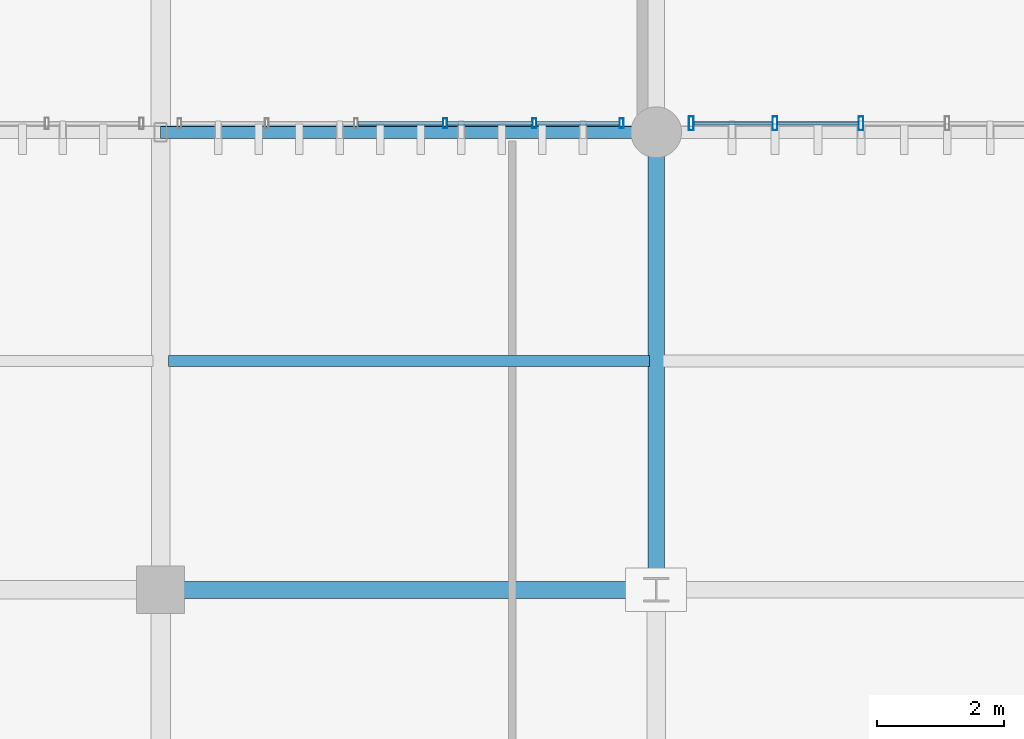
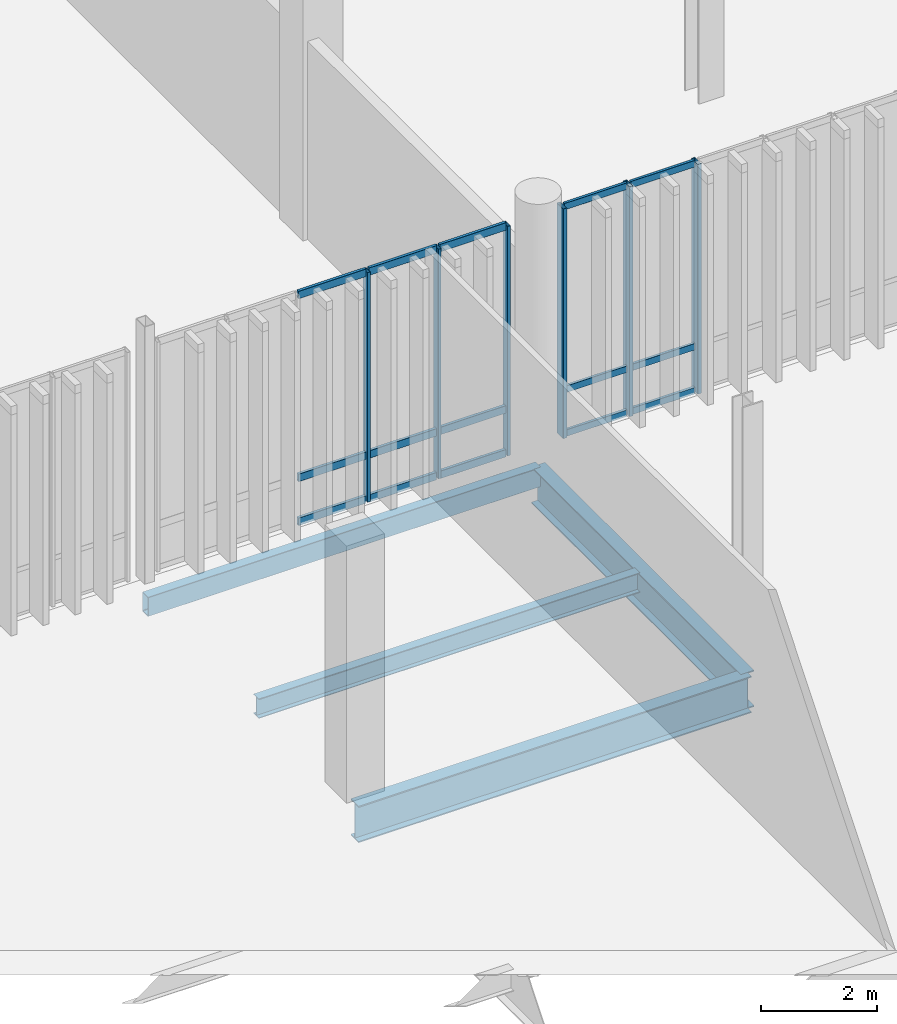
# One storey, part 58 of 112: 21 members, 4 beams, 2 elements without a shape of their own.
"""IFC4 building model written with IfcOpenShell, lengths in metres."""

from ifc_helpers import new_model, si_unit, direction, frame, origin_with_axes, origin_2d_with_axis, place, context, subcontext, project, spatial, hollow_rectangle, i_section, extrude, material, material_profile, profile_set, type_object, element, aggregate, save


model = new_model("IFC4")

# Units and contexts
model_context = context("Model", 3, precision=1e-05, world=origin_with_axes(), true_north=direction((0.0, 1.0)))
body_context = subcontext(model_context, "Body", "Model", "MODEL_VIEW")
ifc_project = project(units=[si_unit("LENGTHUNIT", "METRE"), si_unit("AREAUNIT", "SQUARE_METRE"), si_unit("VOLUMEUNIT", "CUBIC_METRE"), si_unit("PLANEANGLEUNIT", "RADIAN"), si_unit("MASSUNIT", "GRAM", prefix="KILO"), si_unit("THERMODYNAMICTEMPERATUREUNIT", "KELVIN")], contexts=[model_context])

# Site, building, storey
site_placement = place(None, origin_with_axes())
site = spatial("IfcSite", under=ifc_project, at=site_placement, CompositionType="ELEMENT")
building_placement = place(site_placement, origin_with_axes())
building = spatial("IfcBuilding", under=site, at=building_placement, Name="Montbau Bow Law Courts", CompositionType="ELEMENT")
storey_placement = place(building_placement, origin_with_axes())
storey = spatial("IfcBuildingStorey", under=building, at=storey_placement, Name="L00", CompositionType="ELEMENT", Elevation=0.0)

# Beams
ifc_material_1 = material(Name="Steel CSA G40.21 Grade 350W (350 MPa)", Category="steel")
ifc_material_profile_1 = material_profile(ifc_material_1, i_section(OverallWidth=0.267, OverallDepth=0.766, WebThickness=0.0149, FlangeThickness=0.0236, at=origin_2d_with_axis()), Name="W760X185", Category="Main", Priority=0)
ifc_profile_set_1 = profile_set([ifc_material_profile_1], Name="Steel CSA G40.21 Grade 350W (350 MPa)")
beam_type_1 = type_object("IfcBeamType", Name="B-FLR-03", PredefinedType="BEAM", material=ifc_profile_set_1)
beam_1_placement = place(None, frame((147.0, 54.6, -0.723), z_axis=(1.0, 0.0, 0.0), x_axis=(0.0, 1.0, 0.0)))
element("IfcBeam", 1, at=beam_1_placement, inside=storey, type_object=beam_type_1, Name="BM-L00-S0357:bm2_0360", PredefinedType="BEAM", context=body_context, shape_type="SweptSolid", body=[
    extrude(i_section(OverallWidth=0.267, OverallDepth=0.766, WebThickness=0.0149, FlangeThickness=0.0236, at=origin_2d_with_axis()), origin_with_axes(), (0.0, 0.0, 1.0), 7.8),
])
beam_2_placement = place(None, frame((154.8, 54.6, -0.723), z_axis=(0.0, 1.0, 0.0), x_axis=(-1.0, 0.0, 0.0)))
element("IfcBeam", 2, at=beam_2_placement, inside=storey, type_object=beam_type_1, Name="BM-L00-S0389:bm2_0392", PredefinedType="BEAM", context=body_context, shape_type="SweptSolid", body=[
    extrude(i_section(OverallWidth=0.267, OverallDepth=0.766, WebThickness=0.0149, FlangeThickness=0.0236, at=origin_2d_with_axis()), origin_with_axes(), (0.0, 0.0, 1.0), 7.2),
])
ifc_material_profile_2 = material_profile(ifc_material_1, i_section(OverallWidth=0.179, OverallDepth=0.41, WebThickness=0.0088, FlangeThickness=0.0144, at=origin_2d_with_axis()), Name="W410X67", Category="Main", Priority=0)
ifc_profile_set_2 = profile_set([ifc_material_profile_2], Name="Steel CSA G40.21 Grade 350W (350 MPa)")
beam_type_2 = type_object("IfcBeamType", Name="B-JST-02", PredefinedType="JOIST", material=ifc_profile_set_2)
beam_3_placement = place(None, frame((147.123, 58.2, -0.545), z_axis=(1.0, 0.0, 0.0), x_axis=(0.0, 1.0, 0.0)))
element("IfcBeam", 3, at=beam_3_placement, inside=storey, type_object=beam_type_2, Name="JST-L00-S0157:jst2_0157", PredefinedType="JOIST", context=body_context, shape_type="SweptSolid", body=[
    extrude(i_section(OverallWidth=0.179, OverallDepth=0.41, WebThickness=0.0088, FlangeThickness=0.0144, at=origin_2d_with_axis()), origin_with_axes(), (0.0, 0.0, 1.0), 7.568),
])
ifc_material_2 = material(Name="Steel CSA G40.21 Grade 350WT (350 MPa)", Category="steel")
ifc_material_profile_3 = material_profile(ifc_material_2, hollow_rectangle(XDim=0.203, YDim=0.406, WallThickness=0.0127, InnerFilletRadius=0.0254, OuterFilletRadius=0.0127, at=origin_2d_with_axis()), Name="HSS406X203X13", Category="Main", Priority=0)
ifc_profile_set_3 = profile_set([ifc_material_profile_3], Name="Steel CSA G40.21 Grade 350WT (350 MPa)")
beam_type_3 = type_object("IfcBeamType", Name="B-SPN-01", PredefinedType="SPANDREL", material=ifc_profile_set_3)
beam_4_placement = place(None, frame((147.0, 61.8, -0.543), z_axis=(1.0, 0.0, 0.0), x_axis=(0.0, 1.0, 0.0)))
element("IfcBeam", 4, at=beam_4_placement, inside=storey, type_object=beam_type_3, Name="SPN-L00-S0363:bm2_0366", PredefinedType="SPANDREL", context=body_context, shape_type="SweptSolid", body=[
    extrude(hollow_rectangle(XDim=0.203, YDim=0.406, WallThickness=0.0127, InnerFilletRadius=0.0254, OuterFilletRadius=0.0127, at=origin_2d_with_axis()), origin_with_axes(), (0.0, 0.0, 1.0), 7.8),
])

# Curtain wall, members
ifc_material_3 = material(Name="Thermally Broken Extruded Aluminium AA 6063-T6", Category="aluminium")
curtain_wall_type = type_object("IfcCurtainWallType", Name="CW-SLT-01", PredefinedType="NOTDEFINED", material=ifc_material_3)
curtain_wall_1_placement = place(None, frame((155.315, 61.94, 0.0), z_axis=(0.0, 0.0, 1.0), x_axis=(1.0, 0.0, 0.0)))
curtain_wall_1 = element("IfcCurtainWall", 5, at=curtain_wall_1_placement, inside=storey, type_object=curtain_wall_type, Name="CW-L00-261:cw_0261", PredefinedType="NOTDEFINED")
ifc_material_profile_4 = material_profile(ifc_material_3, hollow_rectangle(XDim=0.075, YDim=0.22, WallThickness=0.005, InnerFilletRadius=0.01, OuterFilletRadius=0.005, at=origin_2d_with_axis()), Name="CWM-220X75", Category="Main", Priority=0)
ifc_profile_set_4 = profile_set([ifc_material_profile_4], Name="Thermally Broken Extruded Aluminium AA 6063-T6")
member_type_1 = type_object("IfcMemberType", Name="M-MUL-01", PredefinedType="MULLION", material=ifc_profile_set_4)
member_1_placement = place(None, frame((155.352, 61.94, 0.0), z_axis=(0.0, 0.0, 1.0), x_axis=(1.0, 0.0, 0.0)))
member_1 = element("IfcMember", 6, at=member_1_placement, type_object=member_type_1, Name="CW-L00-261-M01:cw_0261_M01", PredefinedType="MULLION", context=body_context, shape_type="SweptSolid", body=[
    extrude(hollow_rectangle(XDim=0.075, YDim=0.22, WallThickness=0.005, InnerFilletRadius=0.01, OuterFilletRadius=0.005, at=origin_2d_with_axis()), origin_with_axes(), (0.0, 0.0, 1.0), 4.82),
])
member_2_placement = place(None, frame((156.669, 61.94, 0.0), z_axis=(0.0, 0.0, 1.0), x_axis=(1.0, 0.0, 0.0)))
member_2 = element("IfcMember", 7, at=member_2_placement, type_object=member_type_1, Name="CW-L00-261-M02:cw_0261_M02", PredefinedType="MULLION", context=body_context, shape_type="SweptSolid", body=[
    extrude(hollow_rectangle(XDim=0.075, YDim=0.22, WallThickness=0.005, InnerFilletRadius=0.01, OuterFilletRadius=0.005, at=origin_2d_with_axis()), origin_with_axes(), (0.0, 0.0, 1.0), 4.82),
])
member_3_placement = place(None, frame((158.023, 61.94, 0.0), z_axis=(0.0, 0.0, 1.0), x_axis=(1.0, 0.0, 0.0)))
member_3 = element("IfcMember", 8, at=member_3_placement, type_object=member_type_1, Name="CW-L00-261-M03:cw_0261_M03", PredefinedType="MULLION", context=body_context, shape_type="SweptSolid", body=[
    extrude(hollow_rectangle(XDim=0.075, YDim=0.22, WallThickness=0.005, InnerFilletRadius=0.01, OuterFilletRadius=0.005, at=origin_2d_with_axis()), origin_with_axes(), (0.0, 0.0, 1.0), 4.82),
])

curtain_wall_2_placement = place(None, frame((147.268, 61.94, 0.0), z_axis=(0.0, 0.0, 1.0), x_axis=(1.0, 0.0, 0.0)))
curtain_wall_2 = element("IfcCurtainWall", 9, at=curtain_wall_2_placement, inside=storey, type_object=curtain_wall_type, Name="CW-L00-260:cw_0260", PredefinedType="NOTDEFINED")
ifc_material_profile_5 = material_profile(ifc_material_3, hollow_rectangle(XDim=0.06, YDim=0.16, WallThickness=0.004, InnerFilletRadius=0.008, OuterFilletRadius=0.004, at=origin_2d_with_axis()), Name="CWM-160X60", Category="Main", Priority=0)
ifc_profile_set_5 = profile_set([ifc_material_profile_5], Name="Thermally Broken Extruded Aluminium AA 6063-T6")
member_type_2 = type_object("IfcMemberType", Name="M-MUL-03", PredefinedType="MULLION", material=ifc_profile_set_5)
member_4_placement = place(None, frame((151.478, 61.94, 0.0), z_axis=(0.0, 0.0, 1.0), x_axis=(1.0, 0.0, 0.0)))
member_4 = element("IfcMember", 10, at=member_4_placement, type_object=member_type_2, Name="CW-L00-260-M04:cw_0260_M04", PredefinedType="MULLION", context=body_context, shape_type="SweptSolid", body=[
    extrude(hollow_rectangle(XDim=0.06, YDim=0.16, WallThickness=0.004, InnerFilletRadius=0.008, OuterFilletRadius=0.004, at=origin_2d_with_axis()), origin_with_axes(), (0.0, 0.0, 1.0), 4.82),
])
member_5_placement = place(None, frame((152.882, 61.94, 0.0), z_axis=(0.0, 0.0, 1.0), x_axis=(1.0, 0.0, 0.0)))
member_5 = element("IfcMember", 11, at=member_5_placement, type_object=member_type_2, Name="CW-L00-260-M05:cw_0260_M05", PredefinedType="MULLION", context=body_context, shape_type="SweptSolid", body=[
    extrude(hollow_rectangle(XDim=0.06, YDim=0.16, WallThickness=0.004, InnerFilletRadius=0.008, OuterFilletRadius=0.004, at=origin_2d_with_axis()), origin_with_axes(), (0.0, 0.0, 1.0), 4.82),
])
member_6_placement = place(None, frame((154.255, 61.94, 0.0), z_axis=(0.0, 0.0, 1.0), x_axis=(1.0, 0.0, 0.0)))
member_6 = element("IfcMember", 12, at=member_6_placement, type_object=member_type_2, Name="CW-L00-260-M06:cw_0260_M06", PredefinedType="MULLION", context=body_context, shape_type="SweptSolid", body=[
    extrude(hollow_rectangle(XDim=0.06, YDim=0.16, WallThickness=0.004, InnerFilletRadius=0.008, OuterFilletRadius=0.004, at=origin_2d_with_axis()), origin_with_axes(), (0.0, 0.0, 1.0), 4.82),
])
ifc_material_profile_6 = material_profile(ifc_material_3, hollow_rectangle(XDim=0.06, YDim=0.16, WallThickness=0.004, InnerFilletRadius=0.008, OuterFilletRadius=0.004, at=origin_2d_with_axis()), Name="CWT-160X60", Category="Main", Priority=0)
ifc_profile_set_6 = profile_set([ifc_material_profile_6], Name="Thermally Broken Extruded Aluminium AA 6063-T6")
member_type_3 = type_object("IfcMemberType", Name="M-TRN-01", PredefinedType="USERDEFINED", material=ifc_profile_set_6)
member_7_placement = place(None, frame((150.107, 61.94, 0.03), z_axis=(1.0, 0.0, 0.0), x_axis=(0.0, 1.0, 0.0)))
member_7 = element("IfcMember", 13, at=member_7_placement, type_object=member_type_3, Name="CW-L00-260-T03-1:cw_0260_T03_1", ObjectType="TRANSOM", PredefinedType="USERDEFINED", context=body_context, shape_type="SweptSolid", body=[
    extrude(hollow_rectangle(XDim=0.06, YDim=0.16, WallThickness=0.004, InnerFilletRadius=0.008, OuterFilletRadius=0.004, at=origin_2d_with_axis()), origin_with_axes(), (0.0, 0.0, 1.0), 1.339),
])
member_8_placement = place(None, frame((150.107, 61.94, 0.95), z_axis=(1.0, 0.0, 0.0), x_axis=(0.0, 1.0, 0.0)))
member_8 = element("IfcMember", 14, at=member_8_placement, type_object=member_type_3, Name="CW-L00-260-T03-2:cw_0260_T03_2", ObjectType="TRANSOM", PredefinedType="USERDEFINED", context=body_context, shape_type="SweptSolid", body=[
    extrude(hollow_rectangle(XDim=0.06, YDim=0.16, WallThickness=0.004, InnerFilletRadius=0.008, OuterFilletRadius=0.004, at=origin_2d_with_axis()), origin_with_axes(), (0.0, 0.0, 1.0), 1.339),
])
member_9_placement = place(None, frame((150.107, 61.94, 4.79), z_axis=(1.0, 0.0, 0.0), x_axis=(0.0, 1.0, 0.0)))
member_9 = element("IfcMember", 15, at=member_9_placement, type_object=member_type_3, Name="CW-L00-260-T03-3:cw_0260_T03_3", ObjectType="TRANSOM", PredefinedType="USERDEFINED", context=body_context, shape_type="SweptSolid", body=[
    extrude(hollow_rectangle(XDim=0.06, YDim=0.16, WallThickness=0.004, InnerFilletRadius=0.008, OuterFilletRadius=0.004, at=origin_2d_with_axis()), origin_with_axes(), (0.0, 0.0, 1.0), 1.339),
])
member_10_placement = place(None, frame((151.51, 61.94, 0.03), z_axis=(1.0, 0.0, 0.0), x_axis=(0.0, 1.0, 0.0)))
member_10 = element("IfcMember", 16, at=member_10_placement, type_object=member_type_3, Name="CW-L00-260-T04-1:cw_0260_T04_1", ObjectType="TRANSOM", PredefinedType="USERDEFINED", context=body_context, shape_type="SweptSolid", body=[
    extrude(hollow_rectangle(XDim=0.06, YDim=0.16, WallThickness=0.004, InnerFilletRadius=0.008, OuterFilletRadius=0.004, at=origin_2d_with_axis()), origin_with_axes(), (0.0, 0.0, 1.0), 1.34),
])
member_11_placement = place(None, frame((151.51, 61.94, 0.95), z_axis=(1.0, 0.0, 0.0), x_axis=(0.0, 1.0, 0.0)))
member_11 = element("IfcMember", 17, at=member_11_placement, type_object=member_type_3, Name="CW-L00-260-T04-2:cw_0260_T04_2", ObjectType="TRANSOM", PredefinedType="USERDEFINED", context=body_context, shape_type="SweptSolid", body=[
    extrude(hollow_rectangle(XDim=0.06, YDim=0.16, WallThickness=0.004, InnerFilletRadius=0.008, OuterFilletRadius=0.004, at=origin_2d_with_axis()), origin_with_axes(), (0.0, 0.0, 1.0), 1.34),
])
member_12_placement = place(None, frame((151.51, 61.94, 4.79), z_axis=(1.0, 0.0, 0.0), x_axis=(0.0, 1.0, 0.0)))
member_12 = element("IfcMember", 18, at=member_12_placement, type_object=member_type_3, Name="CW-L00-260-T04-3:cw_0260_T04_3", ObjectType="TRANSOM", PredefinedType="USERDEFINED", context=body_context, shape_type="SweptSolid", body=[
    extrude(hollow_rectangle(XDim=0.06, YDim=0.16, WallThickness=0.004, InnerFilletRadius=0.008, OuterFilletRadius=0.004, at=origin_2d_with_axis()), origin_with_axes(), (0.0, 0.0, 1.0), 1.34),
])
member_13_placement = place(None, frame((152.914, 61.94, 0.03), z_axis=(1.0, 0.0, 0.0), x_axis=(0.0, 1.0, 0.0)))
member_13 = element("IfcMember", 19, at=member_13_placement, type_object=member_type_3, Name="CW-L00-260-T05-1:cw_0260_T05_1", ObjectType="TRANSOM", PredefinedType="USERDEFINED", context=body_context, shape_type="SweptSolid", body=[
    extrude(hollow_rectangle(XDim=0.06, YDim=0.16, WallThickness=0.004, InnerFilletRadius=0.008, OuterFilletRadius=0.004, at=origin_2d_with_axis()), origin_with_axes(), (0.0, 0.0, 1.0), 1.309),
])
member_14_placement = place(None, frame((152.914, 61.94, 0.95), z_axis=(1.0, 0.0, 0.0), x_axis=(0.0, 1.0, 0.0)))
member_14 = element("IfcMember", 20, at=member_14_placement, type_object=member_type_3, Name="CW-L00-260-T05-2:cw_0260_T05_2", ObjectType="TRANSOM", PredefinedType="USERDEFINED", context=body_context, shape_type="SweptSolid", body=[
    extrude(hollow_rectangle(XDim=0.06, YDim=0.16, WallThickness=0.004, InnerFilletRadius=0.008, OuterFilletRadius=0.004, at=origin_2d_with_axis()), origin_with_axes(), (0.0, 0.0, 1.0), 1.309),
])
member_15_placement = place(None, frame((152.914, 61.94, 4.79), z_axis=(1.0, 0.0, 0.0), x_axis=(0.0, 1.0, 0.0)))
member_15 = element("IfcMember", 21, at=member_15_placement, type_object=member_type_3, Name="CW-L00-260-T05-3:cw_0260_T05_3", ObjectType="TRANSOM", PredefinedType="USERDEFINED", context=body_context, shape_type="SweptSolid", body=[
    extrude(hollow_rectangle(XDim=0.06, YDim=0.16, WallThickness=0.004, InnerFilletRadius=0.008, OuterFilletRadius=0.004, at=origin_2d_with_axis()), origin_with_axes(), (0.0, 0.0, 1.0), 1.309),
])
aggregate(curtain_wall_2, [member_4, member_5, member_6, member_7, member_8, member_9, member_10, member_11, member_12, member_13, member_14, member_15])

# Member
ifc_material_profile_7 = material_profile(ifc_material_3, hollow_rectangle(XDim=0.055, YDim=0.14, WallThickness=0.004, InnerFilletRadius=0.008, OuterFilletRadius=0.004, at=origin_2d_with_axis()), Name="CWT-140X55", Category="Main", Priority=0)
ifc_profile_set_7 = profile_set([ifc_material_profile_7], Name="Thermally Broken Extruded Aluminium AA 6063-T6")
member_type_4 = type_object("IfcMemberType", Name="M-TRN-02", PredefinedType="USERDEFINED", material=ifc_profile_set_7)
member_16_placement = place(None, frame((155.391, 61.94, 0.028), z_axis=(1.0, 0.0, 0.0), x_axis=(0.0, 1.0, 0.0)))
member_16 = element("IfcMember", 22, at=member_16_placement, type_object=member_type_4, Name="CW-L00-261-T01-1:cw_0261_T01_1", ObjectType="TRANSOM", PredefinedType="USERDEFINED", context=body_context, shape_type="SweptSolid", body=[
    extrude(hollow_rectangle(XDim=0.055, YDim=0.14, WallThickness=0.004, InnerFilletRadius=0.008, OuterFilletRadius=0.004, at=origin_2d_with_axis()), origin_with_axes(), (0.0, 0.0, 1.0), 1.239),
])

member_17_placement = place(None, frame((155.391, 61.94, 0.95), z_axis=(1.0, 0.0, 0.0), x_axis=(0.0, 1.0, 0.0)))
member_17 = element("IfcMember", 23, at=member_17_placement, type_object=member_type_4, Name="CW-L00-261-T01-2:cw_0261_T01_2", ObjectType="TRANSOM", PredefinedType="USERDEFINED", context=body_context, shape_type="SweptSolid", body=[
    extrude(hollow_rectangle(XDim=0.055, YDim=0.14, WallThickness=0.004, InnerFilletRadius=0.008, OuterFilletRadius=0.004, at=origin_2d_with_axis()), origin_with_axes(), (0.0, 0.0, 1.0), 1.239),
])

member_18_placement = place(None, frame((155.391, 61.94, 4.793), z_axis=(1.0, 0.0, 0.0), x_axis=(0.0, 1.0, 0.0)))
member_18 = element("IfcMember", 24, at=member_18_placement, type_object=member_type_4, Name="CW-L00-261-T01-3:cw_0261_T01_3", ObjectType="TRANSOM", PredefinedType="USERDEFINED", context=body_context, shape_type="SweptSolid", body=[
    extrude(hollow_rectangle(XDim=0.055, YDim=0.14, WallThickness=0.004, InnerFilletRadius=0.008, OuterFilletRadius=0.004, at=origin_2d_with_axis()), origin_with_axes(), (0.0, 0.0, 1.0), 1.239),
])

member_19_placement = place(None, frame((156.709, 61.94, 0.028), z_axis=(1.0, 0.0, 0.0), x_axis=(0.0, 1.0, 0.0)))
member_19 = element("IfcMember", 25, at=member_19_placement, type_object=member_type_4, Name="CW-L00-261-T02-1:cw_0261_T02_1", ObjectType="TRANSOM", PredefinedType="USERDEFINED", context=body_context, shape_type="SweptSolid", body=[
    extrude(hollow_rectangle(XDim=0.055, YDim=0.14, WallThickness=0.004, InnerFilletRadius=0.008, OuterFilletRadius=0.004, at=origin_2d_with_axis()), origin_with_axes(), (0.0, 0.0, 1.0), 1.275),
])

member_20_placement = place(None, frame((156.709, 61.94, 0.95), z_axis=(1.0, 0.0, 0.0), x_axis=(0.0, 1.0, 0.0)))
member_20 = element("IfcMember", 26, at=member_20_placement, type_object=member_type_4, Name="CW-L00-261-T02-2:cw_0261_T02_2", ObjectType="TRANSOM", PredefinedType="USERDEFINED", context=body_context, shape_type="SweptSolid", body=[
    extrude(hollow_rectangle(XDim=0.055, YDim=0.14, WallThickness=0.004, InnerFilletRadius=0.008, OuterFilletRadius=0.004, at=origin_2d_with_axis()), origin_with_axes(), (0.0, 0.0, 1.0), 1.275),
])

member_21_placement = place(None, frame((156.709, 61.94, 4.793), z_axis=(1.0, 0.0, 0.0), x_axis=(0.0, 1.0, 0.0)))
member_21 = element("IfcMember", 27, at=member_21_placement, type_object=member_type_4, Name="CW-L00-261-T02-3:cw_0261_T02_3", ObjectType="TRANSOM", PredefinedType="USERDEFINED", context=body_context, shape_type="SweptSolid", body=[
    extrude(hollow_rectangle(XDim=0.055, YDim=0.14, WallThickness=0.004, InnerFilletRadius=0.008, OuterFilletRadius=0.004, at=origin_2d_with_axis()), origin_with_axes(), (0.0, 0.0, 1.0), 1.275),
])

aggregate(curtain_wall_1, [member_1, member_2, member_3, member_16, member_17, member_18, member_19, member_20, member_21])

save(model, "model.ifc")
